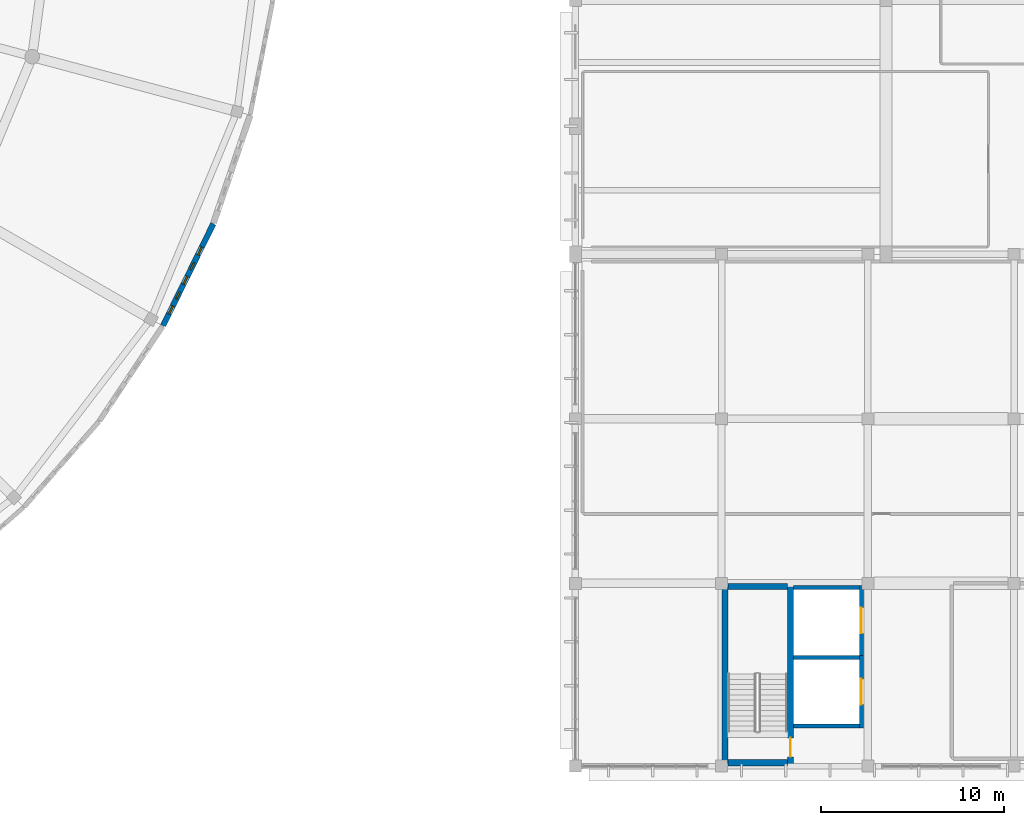
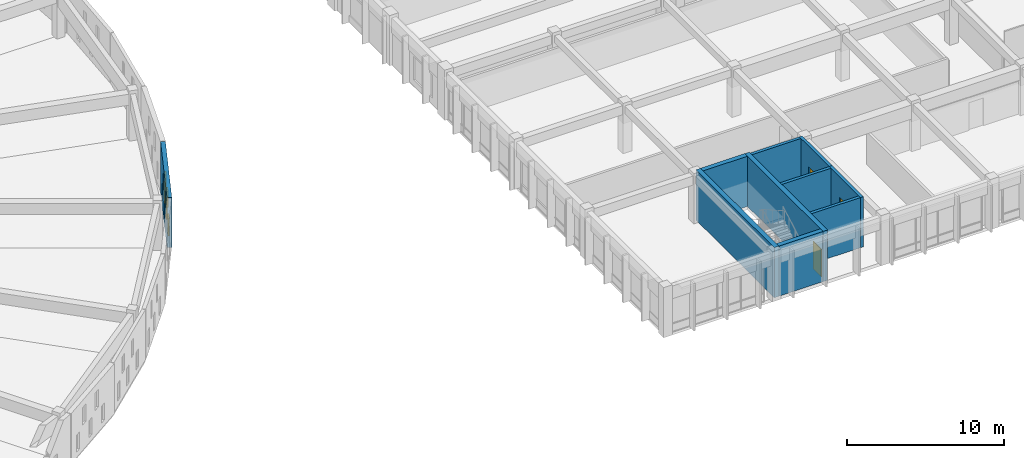
# One storey, part 59 of 98: 10 walls, 5 windows, 3 doors, 8 openings.
"""IFC4 building model written with IfcOpenShell, lengths in metres."""

from ifc_helpers import new_model, si_unit, direction, frame, frame_2d, origin, place, context, subcontext, project, spatial, rectangle, extrude, material, layer, layer_set, type_object, element, fill, save


model = new_model("IFC4")

# Units and contexts
model_context = context("Model", 3, precision=1e-05, world=origin(), true_north=direction((0.0, 1.0)))
body_context = subcontext(model_context, "Body", "Model", "MODEL_VIEW")
ifc_project = project(units=[si_unit("LENGTHUNIT", "METRE"), si_unit("AREAUNIT", "SQUARE_METRE"), si_unit("VOLUMEUNIT", "CUBIC_METRE"), si_unit("PLANEANGLEUNIT", "RADIAN"), si_unit("MASSUNIT", "GRAM", prefix="KILO")], contexts=[model_context])

# Site, building, storey
site_placement = place(None, origin())
site = spatial("IfcSite", under=ifc_project, at=site_placement, CompositionType="ELEMENT")
building_placement = place(site_placement, origin())
building = spatial("IfcBuilding", under=site, at=building_placement, Name="Larkveld Mobility Hub", CompositionType="ELEMENT")
storey_placement = place(building_placement, frame((0.0, 0.0, 4.5)))
storey = spatial("IfcBuildingStorey", under=building, at=storey_placement, Name="L01", CompositionType="ELEMENT", Elevation=4.5)

# Wall, openings, windows
ifc_material_1 = material(Name="Fired clay brick 25 MPa", Category="masonry")
ifc_layer_1 = layer(ifc_material_1, 0.31005859375, Name="Fired clay brick 25 MPa", Category="masonry")
ifc_layer_set_1 = layer_set([ifc_layer_1], Name="Fired clay brick 25 MPa")
wall_type_1 = type_object("IfcWallType", Name="WL-BRK-310", PredefinedType="USERDEFINED", material=ifc_layer_set_1)
wall_1_placement = place(storey_placement, frame((89.449951171875, 24.096923828125, 0.0), z_axis=(0.0, 0.0, 1.0), x_axis=(0.442316740488, 0.896858908126, 0.0)))
wall_1 = element("IfcWall", 1, at=wall_1_placement, inside=storey, type_object=wall_type_1, Name="Drum Woven Open-Bond Brick Chord L01-0089", ObjectType="PERFORATED BRICK SCREEN", PredefinedType="USERDEFINED", context=body_context, shape_type="SweptSolid", body=[
    extrude(rectangle(XDim=6.210693359375, YDim=0.31005859375, at=frame_2d((3.10546875, 0.0))), origin(), (0.0, 0.0, 1.0), 3.89990234375),
])
opening_1_placement = place(wall_1_placement, frame((0.719970703125, 0.0, 0.419921875)))
opening_1 = element("IfcOpeningElement", 2, at=opening_1_placement, cuts=wall_1, Name="Opening W03", PredefinedType="OPENING", context=body_context, shape_type="SweptSolid", body=[
    extrude(rectangle(XDim=0.47998046875, YDim=1.360107421875, at=frame_2d((0.239990234375, 0.68017578125))), frame((0.0, 0.1650390625, 0.0), z_axis=(0.0, -1.0, 0.0), x_axis=(1.0, 0.0, 0.0)), (0.0, 0.0, 1.0), 0.330078125),
])
opening_2_placement = place(wall_1_placement, frame((2.52001953125, 0.0, 0.419921875)))
opening_2 = element("IfcOpeningElement", 3, at=opening_2_placement, cuts=wall_1, Name="Opening W03", PredefinedType="OPENING", context=body_context, shape_type="SweptSolid", body=[
    extrude(rectangle(XDim=0.47998046875, YDim=1.360107421875, at=frame_2d((0.239990234375, 0.68017578125))), frame((0.0, 0.1650390625, 0.0), z_axis=(0.0, -1.0, 0.0), x_axis=(1.0, 0.0, 0.0)), (0.0, 0.0, 1.0), 0.330078125),
])
opening_3_placement = place(wall_1_placement, frame((4.320068359375, 0.0, 0.419921875)))
opening_3 = element("IfcOpeningElement", 4, at=opening_3_placement, cuts=wall_1, Name="Opening W03", PredefinedType="OPENING", context=body_context, shape_type="SweptSolid", body=[
    extrude(rectangle(XDim=0.47998046875, YDim=1.360107421875, at=frame_2d((0.239990234375, 0.68017578125))), frame((0.0, 0.1650390625, 0.0), z_axis=(0.0, -1.0, 0.0), x_axis=(1.0, 0.0, 0.0)), (0.0, 0.0, 1.0), 0.330078125),
])
opening_4_placement = place(wall_1_placement, frame((1.6201171875, 0.0, 1.97998046875)))
opening_4 = element("IfcOpeningElement", 5, at=opening_4_placement, cuts=wall_1, Name="Opening W01", PredefinedType="OPENING", context=body_context, shape_type="SweptSolid", body=[
    extrude(rectangle(XDim=0.419921875, YDim=1.280029296875, at=frame_2d((0.2099609375, 0.64013671875))), frame((0.0, 0.1650390625, 0.0), z_axis=(0.0, -1.0, 0.0), x_axis=(1.0, 0.0, 0.0)), (0.0, 0.0, 1.0), 0.330078125),
])
opening_5_placement = place(wall_1_placement, frame((3.419921875, 0.0, 1.97998046875)))
opening_5 = element("IfcOpeningElement", 6, at=opening_5_placement, cuts=wall_1, Name="Opening W01", PredefinedType="OPENING", context=body_context, shape_type="SweptSolid", body=[
    extrude(rectangle(XDim=0.419921875, YDim=1.280029296875, at=frame_2d((0.2099609375, 0.64013671875))), frame((0.0, 0.1650390625, 0.0), z_axis=(0.0, -1.0, 0.0), x_axis=(1.0, 0.0, 0.0)), (0.0, 0.0, 1.0), 0.330078125),
])
ifc_material_2 = material(Name="Extruded aluminium ventilation grille", Category="aluminium")
window_type_1 = type_object("IfcWindowType", Name="WN-VENT-01", PartitioningType="SINGLE_PANEL", PredefinedType="WINDOW", material=ifc_material_2)
window_1_placement = place(opening_4_placement, origin())
window_1 = element("IfcWindow", 7, at=window_1_placement, inside=storey, type_object=window_type_1, Name="Window W01 (0434)", OverallHeight=1.280029296875, OverallWidth=0.419921875, PartitioningType="SINGLE_PANEL", PredefinedType="WINDOW", context=body_context, shape_type="SweptSolid", body=[
    extrude(rectangle(XDim=0.419921875, YDim=1.280029296875, at=frame_2d((0.2099609375, 0.64013671875))), frame((0.0, 0.030029296875, 0.0), z_axis=(0.0, -1.0, 0.0), x_axis=(1.0, 0.0, 0.0)), (0.0, 0.0, 1.0), 0.06005859375),
])
fill(opening_4, window_1)
window_2_placement = place(opening_5_placement, origin())
window_2 = element("IfcWindow", 8, at=window_2_placement, inside=storey, type_object=window_type_1, Name="Window W01 (0435)", OverallHeight=1.280029296875, OverallWidth=0.419921875, PartitioningType="SINGLE_PANEL", PredefinedType="WINDOW", context=body_context, shape_type="SweptSolid", body=[
    extrude(rectangle(XDim=0.419921875, YDim=1.280029296875, at=frame_2d((0.2099609375, 0.64013671875))), frame((0.0, 0.030029296875, 0.0), z_axis=(0.0, -1.0, 0.0), x_axis=(1.0, 0.0, 0.0)), (0.0, 0.0, 1.0), 0.06005859375),
])
fill(opening_5, window_2)
window_type_2 = type_object("IfcWindowType", Name="WN-VENT-03", PartitioningType="SINGLE_PANEL", PredefinedType="WINDOW", material=ifc_material_2)
window_3_placement = place(opening_1_placement, origin())
window_3 = element("IfcWindow", 9, at=window_3_placement, inside=storey, type_object=window_type_2, Name="Window W03 (0431)", OverallHeight=1.360107421875, OverallWidth=0.47998046875, PartitioningType="SINGLE_PANEL", PredefinedType="WINDOW", context=body_context, shape_type="SweptSolid", body=[
    extrude(rectangle(XDim=0.47998046875, YDim=1.360107421875, at=frame_2d((0.239990234375, 0.68017578125))), frame((0.0, 0.030029296875, 0.0), z_axis=(0.0, -1.0, 0.0), x_axis=(1.0, 0.0, 0.0)), (0.0, 0.0, 1.0), 0.06005859375),
])
fill(opening_1, window_3)
window_4_placement = place(opening_2_placement, origin())
window_4 = element("IfcWindow", 10, at=window_4_placement, inside=storey, type_object=window_type_2, Name="Window W03 (0432)", OverallHeight=1.360107421875, OverallWidth=0.47998046875, PartitioningType="SINGLE_PANEL", PredefinedType="WINDOW", context=body_context, shape_type="SweptSolid", body=[
    extrude(rectangle(XDim=0.47998046875, YDim=1.360107421875, at=frame_2d((0.239990234375, 0.68017578125))), frame((0.0, 0.030029296875, 0.0), z_axis=(0.0, -1.0, 0.0), x_axis=(1.0, 0.0, 0.0)), (0.0, 0.0, 1.0), 0.06005859375),
])
fill(opening_2, window_4)
window_5_placement = place(opening_3_placement, origin())
window_5 = element("IfcWindow", 11, at=window_5_placement, inside=storey, type_object=window_type_2, Name="Window W03 (0433)", OverallHeight=1.360107421875, OverallWidth=0.47998046875, PartitioningType="SINGLE_PANEL", PredefinedType="WINDOW", context=body_context, shape_type="SweptSolid", body=[
    extrude(rectangle(XDim=0.47998046875, YDim=1.360107421875, at=frame_2d((0.239990234375, 0.68017578125))), frame((0.0, 0.030029296875, 0.0), z_axis=(0.0, -1.0, 0.0), x_axis=(1.0, 0.0, 0.0)), (0.0, 0.0, 1.0), 0.06005859375),
])
fill(opening_3, window_5)

# Wall, opening, door
ifc_material_3 = material(Name="Concrete C40/50", Category="concrete")
ifc_layer_2 = layer(ifc_material_3, 0.219970703125, Name="Concrete C40/50", Category="concrete")
ifc_layer_set_2 = layer_set([ifc_layer_2], Name="Concrete C40/50")
wall_type_2 = type_object("IfcWallType", Name="WL-SHF-220", PredefinedType="SHEAR", material=ifc_layer_set_2)
wall_2_placement = place(storey_placement, frame((127.64990234375, 9.8701171875, 0.0), z_axis=(0.0, 0.0, 1.0), x_axis=(0.0, -1.0, 0.0)))
wall_2 = element("IfcWall", 12, at=wall_2_placement, inside=storey, type_object=wall_type_2, Name="Lift GL1 Shaft Wall L01-E", PredefinedType="SHEAR", context=body_context, shape_type="SweptSolid", body=[
    extrude(rectangle(XDim=3.81005859375, YDim=0.219970703125, at=frame_2d((1.905029296875, 0.0))), origin(), (0.0, 0.0, 1.0), 3.89990234375),
])
opening_6_placement = place(wall_2_placement, frame((1.205078125, 0.0, 0.0)))
opening_6 = element("IfcOpeningElement", 13, at=opening_6_placement, cuts=wall_2, Name="Opening LD03", PredefinedType="OPENING", context=body_context, shape_type="SweptSolid", body=[
    extrude(rectangle(XDim=1.39990234375, YDim=2.300048828125, at=frame_2d((0.699951171875, 1.14990234375))), frame((0.0, 0.1201171875, 0.0), z_axis=(0.0, -1.0, 0.0), x_axis=(1.0, 0.0, 0.0)), (0.0, 0.0, 1.0), 0.239990234375),
])
ifc_material_4 = material(Name="Brushed stainless Steel S355JR sliding landing door", Category="steel")
door_type_1 = type_object("IfcDoorType", Name="DR-LD-140", OperationType="DOUBLE_DOOR_SLIDING", PredefinedType="DOOR", material=ifc_material_4)
door_1_placement = place(opening_6_placement, origin())
door_1 = element("IfcDoor", 14, at=door_1_placement, inside=storey, type_object=door_type_1, Name="Lift landing door GL1-L01", OperationType="DOUBLE_DOOR_SLIDING", OverallHeight=2.300048828125, OverallWidth=1.39990234375, PredefinedType="DOOR", context=body_context, shape_type="SweptSolid", body=[
    extrude(rectangle(XDim=1.39990234375, YDim=2.300048828125, at=frame_2d((0.699951171875, 1.14990234375))), frame((0.0, 0.02490234375, 0.0), z_axis=(0.0, -1.0, 0.0), x_axis=(1.0, 0.0, 0.0)), (0.0, 0.0, 1.0), 0.050048828125),
])
fill(opening_6, door_1)

# Wall
wall_3_placement = place(storey_placement, frame((123.93994140625, 9.760009765625, 0.0), z_axis=(0.0, 0.0, 1.0), x_axis=(1.0, 0.0, 0.0)))
element("IfcWall", 15, at=wall_3_placement, inside=storey, type_object=wall_type_2, Name="Lift GL1 Shaft Wall L01-N", PredefinedType="SHEAR", context=body_context, shape_type="SweptSolid", body=[
    extrude(rectangle(XDim=3.60009765625, YDim=0.219970703125, at=frame_2d((1.800048828125, 0.0))), origin(), (0.0, 0.0, 1.0), 3.89990234375),
])

# Wall, opening, door
wall_4_placement = place(storey_placement, frame((127.64990234375, 6.06005859375, 0.0), z_axis=(0.0, 0.0, 1.0), x_axis=(0.0, -1.0, 0.0)))
wall_4 = element("IfcWall", 16, at=wall_4_placement, inside=storey, type_object=wall_type_2, Name="Lift GL2 Shaft Wall L01-E", PredefinedType="SHEAR", context=body_context, shape_type="SweptSolid", body=[
    extrude(rectangle(XDim=3.97998046875, YDim=0.219970703125, at=frame_2d((1.989990234375, 0.0))), origin(), (0.0, 0.0, 1.0), 3.89990234375),
])
opening_7_placement = place(wall_4_placement, frame((1.2900390625, 0.0, 0.0)))
opening_7 = element("IfcOpeningElement", 17, at=opening_7_placement, cuts=wall_4, Name="Opening LD03", PredefinedType="OPENING", context=body_context, shape_type="SweptSolid", body=[
    extrude(rectangle(XDim=1.39990234375, YDim=2.300048828125, at=frame_2d((0.699951171875, 1.14990234375))), frame((0.0, 0.1201171875, 0.0), z_axis=(0.0, -1.0, 0.0), x_axis=(1.0, 0.0, 0.0)), (0.0, 0.0, 1.0), 0.239990234375),
])
door_2_placement = place(opening_7_placement, origin())
door_2 = element("IfcDoor", 18, at=door_2_placement, inside=storey, type_object=door_type_1, Name="Lift landing door GL2-L01", OperationType="DOUBLE_DOOR_SLIDING", OverallHeight=2.300048828125, OverallWidth=1.39990234375, PredefinedType="DOOR", context=body_context, shape_type="SweptSolid", body=[
    extrude(rectangle(XDim=1.39990234375, YDim=2.300048828125, at=frame_2d((0.699951171875, 1.14990234375))), frame((0.0, 0.02490234375, 0.0), z_axis=(0.0, -1.0, 0.0), x_axis=(1.0, 0.0, 0.0)), (0.0, 0.0, 1.0), 0.050048828125),
])
fill(opening_7, door_2)

# Walls
for number, where, z_axis, x_axis, name in (
    (19, (127.5400390625, 2.18994140625, 0.0), (0.0, 0.0, 1.0), (-1.0, 0.0, 0.0), "Lift GL2 Shaft Wall L01-S"),
    (20, (123.93994140625, 5.949951171875, 0.0), (0.0, 0.0, 1.0), (1.0, 0.0, 0.0), "Lift GL2 Shaft Wall L01-N"),
):
    element("IfcWall", number, at=place(storey_placement, frame(where, z_axis=z_axis, x_axis=x_axis)), inside=storey, type_object=wall_type_2, Name=name, PredefinedType="SHEAR", context=body_context, shape_type="SweptSolid", body=[
        extrude(rectangle(XDim=3.60009765625, YDim=0.219970703125, at=frame_2d((1.800048828125, 0.0))), origin(), (0.0, 0.0, 1.0), 3.89990234375),
    ])
ifc_layer_3 = layer(ifc_material_3, 0.340087890625, Name="Concrete C40/50", Category="concrete")
ifc_layer_set_3 = layer_set([ifc_layer_3], Name="Concrete C40/50")
wall_type_3 = type_object("IfcWallType", Name="WL-SHR-04", PredefinedType="SHEAR", material=ifc_layer_set_3)
wall_5_placement = place(storey_placement, frame((120.179931640625, 0.010009765625, 0.0), z_axis=(0.0, 0.0, 1.0), x_axis=(0.0, 1.0, 0.0)))
element("IfcWall", 21, at=wall_5_placement, inside=storey, type_object=wall_type_3, Name="Core C4 Stair Shear Wall L01-W", PredefinedType="SHEAR", context=body_context, shape_type="SweptSolid", body=[
    extrude(rectangle(XDim=9.97998046875, YDim=0.340087890625, at=frame_2d((4.989990234375, 0.0))), origin(), (0.0, 0.0, 1.0), 3.89990234375),
])

# Wall, opening, door
wall_6_placement = place(storey_placement, frame((123.77001953125, 9.989990234375, 0.0), z_axis=(0.0, 0.0, 1.0), x_axis=(0.0, -1.0, 0.0)))
wall_6 = element("IfcWall", 22, at=wall_6_placement, inside=storey, type_object=wall_type_3, Name="Core C4 Stair Shear Wall L01-E", PredefinedType="SHEAR", context=body_context, shape_type="SweptSolid", body=[
    extrude(rectangle(XDim=9.97998046875, YDim=0.340087890625, at=frame_2d((4.989990234375, 0.0))), origin(), (0.0, 0.0, 1.0), 3.89990234375),
])
opening_8_placement = place(wall_6_placement, frame((8.43994140625, 0.0, 0.0)))
opening_8 = element("IfcOpeningElement", 23, at=opening_8_placement, cuts=wall_6, Name="Opening DF02", PredefinedType="OPENING", context=body_context, shape_type="SweptSolid", body=[
    extrude(rectangle(XDim=1.050048828125, YDim=2.14990234375, at=frame_2d((0.52490234375, 1.074951171875))), frame((0.0, 0.18017578125, 0.0), z_axis=(0.0, -1.0, 0.0), x_axis=(1.0, 0.0, 0.0)), (0.0, 0.0, 1.0), 0.360107421875),
])
ifc_material_5 = material(Name="Pressed Steel S355JR fire door assembly", Category="steel")
door_type_2 = type_object("IfcDoorType", Name="DR-FD60", OperationType="NOTDEFINED", PredefinedType="DOOR", material=ifc_material_5)
door_3_placement = place(opening_8_placement, origin())
door_3 = element("IfcDoor", 24, at=door_3_placement, inside=storey, type_object=door_type_2, Name="Stair ST4 Fire Door L01", OperationType="SINGLE_SWING_RIGHT", OverallHeight=2.14990234375, OverallWidth=1.050048828125, PredefinedType="DOOR", context=body_context, shape_type="SweptSolid", body=[
    extrude(rectangle(XDim=1.050048828125, YDim=2.14990234375, at=frame_2d((0.52490234375, 1.074951171875))), frame((0.0, 0.02490234375, 0.0), z_axis=(0.0, -1.0, 0.0), x_axis=(1.0, 0.0, 0.0)), (0.0, 0.0, 1.0), 0.050048828125),
])
fill(opening_8, door_3)

# Walls
for number, where, z_axis, x_axis, name in (
    (25, (123.60009765625, 0.179931640625, 0.0), (0.0, 0.0, 1.0), (-1.0, 0.0, 0.0), "Core C4 Stair Shear Wall L01-S"),
    (26, (120.35009765625, 9.820068359375, 0.0), (0.0, 0.0, 1.0), (1.0, 0.0, 0.0), "Core C4 Stair Shear Wall L01-N"),
):
    element("IfcWall", number, at=place(storey_placement, frame(where, z_axis=z_axis, x_axis=x_axis)), inside=storey, type_object=wall_type_3, Name=name, PredefinedType="SHEAR", context=body_context, shape_type="SweptSolid", body=[
        extrude(rectangle(XDim=3.25, YDim=0.340087890625, at=frame_2d((1.625, 0.0))), origin(), (0.0, 0.0, 1.0), 3.89990234375),
    ])

save(model, "model.ifc")
